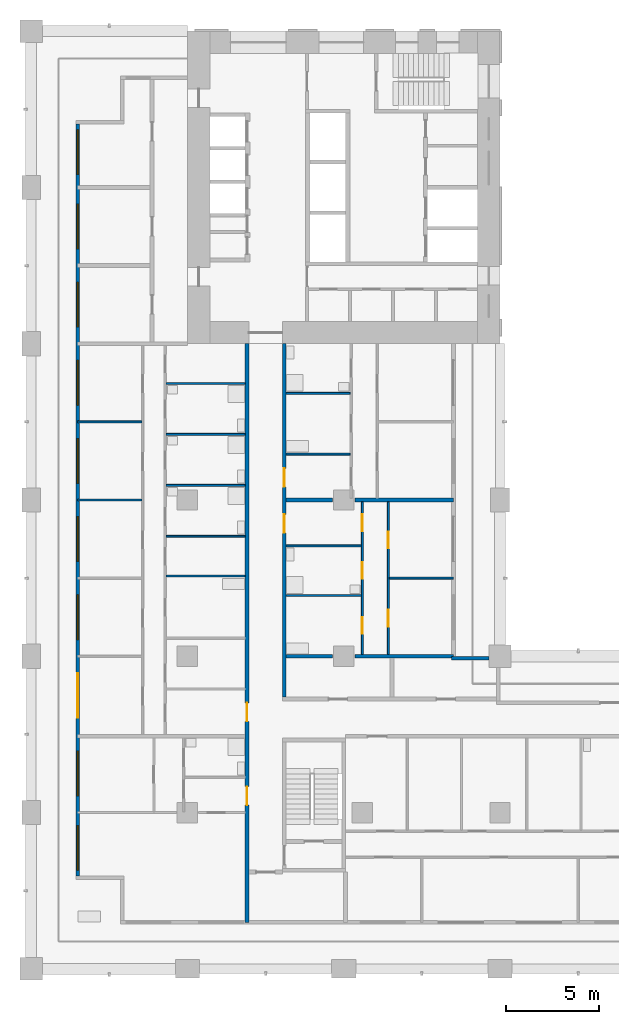
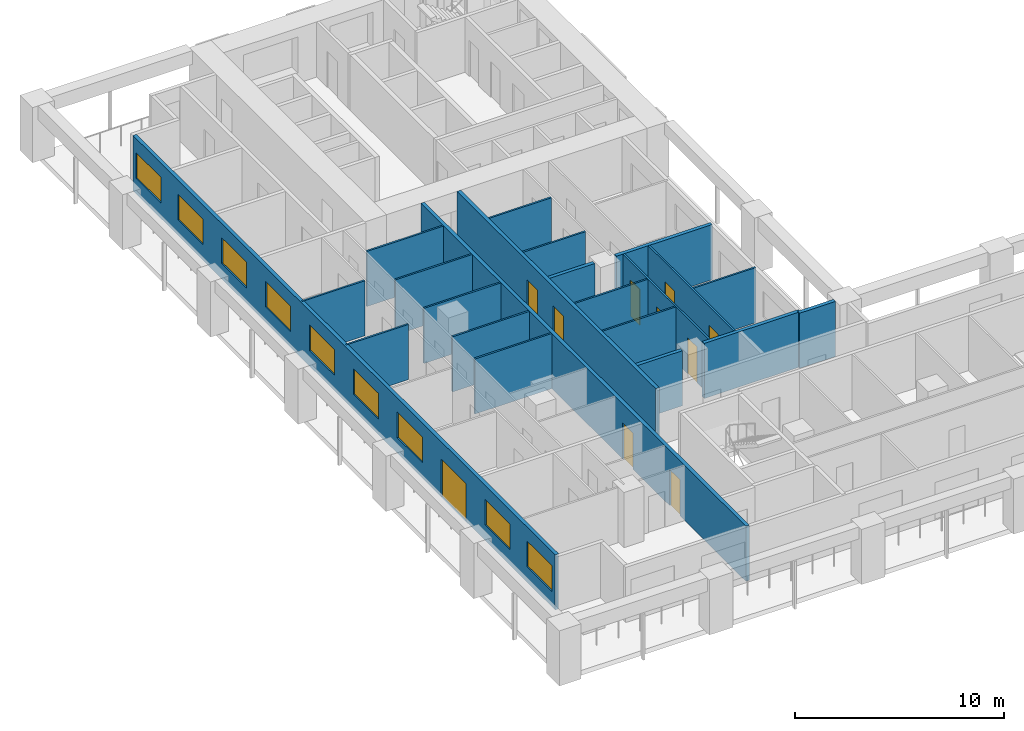
# One storey, part 4 of 17: 22 walls, 10 doors, 9 windows, 19 openings.
"""IFC4 building model written with IfcOpenShell, lengths in metres."""

import ifcopenshell
import ifcopenshell.guid

model = None  # the IFC model being written
_history = None  # IfcOwnerHistory: only IFC2X3 demands one
_inside = {}  # id of a spatial element -> (the spatial element, [elements in it])
_under = {}  # id of a project, library or spatial element -> (it, [spatial elements below it])
_declared = {}  # id of a project -> (the project, [libraries it declares])
_typed = {}  # id of a type object -> (the type object, [elements of that type])
_made_of = {}  # id of a material, layer set ... -> (it, [elements and type objects made of it])


def new_model(schema):
    """Start an empty IFC model of exactly this schema.

    Asked for "IFC4X3", IfcOpenShell would pick the latest addendum, in which some entities
    have other attributes; the version numbers below select the first issue.
    IFC2X3 requires an IfcOwnerHistory on every rooted entity: one is made here for all.
    """
    global model, _history
    if schema == "IFC4X3":
        model = ifcopenshell.file(schema_version=(4, 3, 0, 0))
    else:
        model = ifcopenshell.file(schema=schema)
    _inside.clear()
    _under.clear()
    _declared.clear()
    _typed.clear()
    _made_of.clear()
    _history = None
    if model.schema == "IFC2X3":
        org = make("IfcOrganization", Name="unknown")
        user = make(
            "IfcPersonAndOrganization",
            ThePerson=make("IfcPerson", FamilyName="unknown"),
            TheOrganization=org,
        )
        app = make(
            "IfcApplication",
            ApplicationDeveloper=org,
            Version="unknown",
            ApplicationFullName="unknown",
            ApplicationIdentifier="unknown",
        )
        _history = make(
            "IfcOwnerHistory",
            OwningUser=user,
            OwningApplication=app,
            ChangeAction="ADDED",
            CreationDate=0,
        )
    return model


def make(cls, **values):
    """One entity of the class cls with the attributes given. An attribute that is None is left unset."""
    return model.create_entity(
        cls, **{name: value for name, value in values.items() if value is not None}
    )


def rooted(cls, **values):
    """An entity with a GlobalId (a new one), such as an element, a storey or a relation."""
    return make(cls, GlobalId=ifcopenshell.guid.new(), OwnerHistory=_history, **values)


def si_unit(unit_type, name, prefix=None):
    """IfcSIUnit, for example si_unit("LENGTHUNIT", "METRE", prefix="MILLI")."""
    return make("IfcSIUnit", UnitType=unit_type, Prefix=prefix, Name=name)


def assignment(units):
    """IfcUnitAssignment: the units of a project."""
    return None if units is None else make("IfcUnitAssignment", Units=units)


def point(xyz):
    """IfcCartesianPoint."""
    return None if xyz is None else make("IfcCartesianPoint", Coordinates=xyz)


def direction(xyz):
    """IfcDirection."""
    return None if xyz is None else make("IfcDirection", DirectionRatios=xyz)


def frame(location, z_axis=None, x_axis=None):
    """IfcAxis2Placement3D, a coordinate frame: its origin and axes. An axis left out is left unset."""
    return make(
        "IfcAxis2Placement3D",
        Location=point(location),
        Axis=direction(z_axis),
        RefDirection=direction(x_axis),
    )


def frame_2d(location, x_axis=None):
    """IfcAxis2Placement2D, a coordinate frame in the plane: its origin and x axis."""
    return make(
        "IfcAxis2Placement2D", Location=point(location), RefDirection=direction(x_axis)
    )


def origin():
    """The frame at (0, 0, 0) with its axes left unset."""
    return frame((0.0, 0.0, 0.0))


def place(relative_to, where):
    """IfcLocalPlacement: puts the frame where relative to a parent placement (None: the world)."""
    return make(
        "IfcLocalPlacement", PlacementRelTo=relative_to, RelativePlacement=where
    )


def context(
    kind, dimensions, precision=None, world=None, true_north=None, identifier=None
):
    """IfcGeometricRepresentationContext, for example the 3D "Model" context."""
    return make(
        "IfcGeometricRepresentationContext",
        ContextIdentifier=identifier,
        ContextType=kind,
        CoordinateSpaceDimension=dimensions,
        Precision=precision,
        WorldCoordinateSystem=world,
        TrueNorth=true_north,
    )


def subcontext(parent, identifier, kind, view, scale=None):
    """IfcGeometricRepresentationSubContext, for example "Body" below "Model"."""
    return make(
        "IfcGeometricRepresentationSubContext",
        ContextIdentifier=identifier,
        ContextType=kind,
        ParentContext=parent,
        TargetScale=scale,
        TargetView=view,
    )


def project(units=None, contexts=None):
    """IfcProject with its units and contexts."""
    return rooted(
        "IfcProject",
        Name="project",
        RepresentationContexts=contexts,
        UnitsInContext=assignment(units),
    )


def spatial(cls, under=None, at=None, **own):
    """A site, building, storey or space (cls), placed at a placement, below another one or the project."""
    s = rooted(cls, ObjectPlacement=at, **own)
    if under is not None:
        _under.setdefault(under.id(), (under, []))[1].append(s)
    return s


def profile(cls, at=None, kind="AREA", **sizes):
    """A parametric profile (cls). Its sizes go by their IFC names, for example OverallWidth=200.0."""
    return make(cls, ProfileType=kind, Position=at, **sizes)


def rectangle(**sizes):
    """IfcRectangleProfileDef."""
    return profile("IfcRectangleProfileDef", **sizes)


def extrude(swept, where, along, depth):
    """IfcExtrudedAreaSolid: the profile swept, set in the frame where, extruded along a direction by depth."""
    return make(
        "IfcExtrudedAreaSolid",
        SweptArea=swept,
        Position=where,
        ExtrudedDirection=direction(along),
        Depth=depth,
    )


def shape(context_of_items, identifier, shape_type, items):
    """IfcShapeRepresentation: the items that make up one representation, for example the "Body"."""
    return make(
        "IfcShapeRepresentation",
        ContextOfItems=context_of_items,
        RepresentationIdentifier=identifier,
        RepresentationType=shape_type,
        Items=items,
    )


def material(Name=None, Category=None):
    """IfcMaterial."""
    return make("IfcMaterial", Name=Name, Category=Category)


def layer(
    of_material, thickness, ventilated=None, Name=None, Category=None, Priority=None
):
    """IfcMaterialLayer: one layer of a wall or slab, of a material (None: an air gap)."""
    return make(
        "IfcMaterialLayer",
        Material=of_material,
        LayerThickness=thickness,
        IsVentilated=ventilated,
        Name=Name,
        Category=Category,
        Priority=Priority,
    )


def layer_set(layers, Name=None):
    """IfcMaterialLayerSet."""
    return make("IfcMaterialLayerSet", MaterialLayers=layers, LayerSetName=Name)


def made_of(thing, what):
    """Note that an element or type object is made of a material, layer set ...; save() writes the relation."""
    if what is not None:
        _made_of.setdefault(what.id(), (what, []))[1].append(thing)
    return thing


def type_object(cls, material=None, **own):
    """A type object (cls), such as IfcWallType, which elements share."""
    return made_of(rooted(cls, **own), material)


def element(
    cls,
    number,
    at=None,
    inside=None,
    cuts=None,
    type_object=None,
    material=None,
    context=None,
    identifier="Body",
    shape_type=None,
    held_by="IfcProductDefinitionShape",
    body=None,
    shapes=None,
    **own,
):
    """One element of the class cls, such as IfcWall. Its Tag is "e" and its number.

    at: its placement. inside: the storey or other place that contains it. cuts: it is an
    opening in that element (IfcRelVoidsElement). A single representation is given by context,
    identifier, shape_type and body (its items); several are given by shapes. held_by: the class
    of the entity that holds the representations. save() writes the other relations.
    """
    e = rooted(cls, Tag="e%d" % number, ObjectPlacement=at, **own)
    if body is not None:
        shapes = [shape(context, identifier, shape_type, body)]
    if shapes is not None:
        e.Representation = make(held_by, Representations=shapes)
    if inside is not None:
        _inside.setdefault(inside.id(), (inside, []))[1].append(e)
    if cuts is not None:
        rooted(
            "IfcRelVoidsElement", RelatingBuildingElement=cuts, RelatedOpeningElement=e
        )
    if type_object is not None:
        _typed.setdefault(type_object.id(), (type_object, []))[1].append(e)
    return made_of(e, material)


def fill(opening, filler):
    """IfcRelFillsElement: the door or window that sits in an opening."""
    return rooted(
        "IfcRelFillsElement",
        RelatingOpeningElement=opening,
        RelatedBuildingElement=filler,
    )


def aggregate(whole, parts):
    """IfcRelAggregates: a whole, such as a stair, and the parts it consists of."""
    return rooted("IfcRelAggregates", RelatingObject=whole, RelatedObjects=parts)


def save(model, path):
    """Write the relations noted so far, then the file.

    IfcRelAggregates (storeys below a building ...), IfcRelContainedInSpatialStructure (elements
    in a storey), IfcRelDefinesByType, IfcRelAssociatesMaterial and IfcRelDeclares: one each for
    every whole, place, type object, material and project.
    """
    for whole, parts in _under.values():
        aggregate(whole, parts)
    for where, things in _inside.values():
        rooted(
            "IfcRelContainedInSpatialStructure",
            RelatedElements=things,
            RelatingStructure=where,
        )
    for kind, things in _typed.values():
        rooted("IfcRelDefinesByType", RelatedObjects=things, RelatingType=kind)
    for what, things in _made_of.values():
        rooted("IfcRelAssociatesMaterial", RelatedObjects=things, RelatingMaterial=what)
    for by, libraries in _declared.values():
        rooted("IfcRelDeclares", RelatingContext=by, RelatedDefinitions=libraries)
    model.write(path)


model = new_model("IFC4")

# Units and contexts
model_context = context("Model", 3, precision=1e-05, world=origin(), true_north=direction((0.0, 1.0)))
body_context = subcontext(model_context, "Body", "Model", "MODEL_VIEW")
ifc_project = project(units=[si_unit("LENGTHUNIT", "METRE"), si_unit("AREAUNIT", "SQUARE_METRE"), si_unit("VOLUMEUNIT", "CUBIC_METRE"), si_unit("PLANEANGLEUNIT", "RADIAN"), si_unit("MASSUNIT", "GRAM", prefix="KILO")], contexts=[model_context])

# Site, building, storey
site_placement = place(None, origin())
site = spatial("IfcSite", under=ifc_project, at=site_placement, CompositionType="ELEMENT")
building_placement = place(site_placement, origin())
building = spatial("IfcBuilding", under=site, at=building_placement, Name="Vermilion Gate Residences", CompositionType="ELEMENT")
storey_placement = place(building_placement, frame((0.0, 0.0, 95.199951171875)))
storey = spatial("IfcBuildingStorey", under=building, at=storey_placement, Name="L23", CompositionType="ELEMENT", Elevation=95.199951171875)

# Wall, openings, door, windows
ifc_material_1 = material(Name="Insulated steel stud wall with terracotta rainscreen", Category="masonry")
ifc_layer_1 = layer(ifc_material_1, 0.199951171875)
ifc_layer_set_1 = layer_set([ifc_layer_1], Name="EXTERNAL WALL 200 TERRACOTTA RAINSCREEN")
wall_type_1 = type_object("IfcWallType", Name="EXTERNAL WALL 200 TERRACOTTA RAINSCREEN", PredefinedType="SOLIDWALL", material=ifc_layer_set_1)
wall_1_placement = place(storey_placement, frame((2.5, 53.800048828125, 0.0), z_axis=(0.0, 0.0, 1.0), x_axis=(0.0, -1.0, 0.0)))
wall_1 = element("IfcWall", 1, at=wall_1_placement, inside=storey, type_object=wall_type_1, Name="External wall", PredefinedType="SOLIDWALL", context=body_context, shape_type="SweptSolid", body=[
    extrude(rectangle(XDim=40.400146484375, YDim=0.199951171875, at=frame_2d((20.2001953125, 0.0))), origin(), (0.0, 0.0, 1.0), 3.219970703125),
])
opening_1_placement = place(wall_1_placement, frame((37.699951171875, 0.0, 0.89990234375)))
opening_1 = element("IfcOpeningElement", 2, at=opening_1_placement, cuts=wall_1, Name="Opening WE23002", PredefinedType="OPENING", context=body_context, shape_type="SweptSolid", body=[
    extrude(rectangle(XDim=2.39990234375, YDim=1.5, at=frame_2d((1.199951171875, 0.75))), frame((0.0, 0.10986328125, 0.0), z_axis=(0.0, -1.0, 0.0), x_axis=(1.0, 0.0, 0.0)), (0.0, 0.0, 1.0), 0.219970703125),
])
opening_2_placement = place(wall_1_placement, frame((33.699951171875, 0.0, 0.89990234375)))
opening_2 = element("IfcOpeningElement", 3, at=opening_2_placement, cuts=wall_1, Name="Opening WE23003", PredefinedType="OPENING", context=body_context, shape_type="SweptSolid", body=[
    extrude(rectangle(XDim=2.39990234375, YDim=1.5, at=frame_2d((1.199951171875, 0.75))), frame((0.0, 0.10986328125, 0.0), z_axis=(0.0, -1.0, 0.0), x_axis=(1.0, 0.0, 0.0)), (0.0, 0.0, 1.0), 0.219970703125),
])
opening_3_placement = place(wall_1_placement, frame((29.5, 0.0, 0.0)))
opening_3 = element("IfcOpeningElement", 4, at=opening_3_placement, cuts=wall_1, Name="Opening DE23004", PredefinedType="OPENING", context=body_context, shape_type="SweptSolid", body=[
    extrude(rectangle(XDim=2.39990234375, YDim=2.199951171875, at=frame_2d((1.199951171875, 1.10009765625))), frame((0.0, 0.10986328125, 0.0), z_axis=(0.0, -1.0, 0.0), x_axis=(1.0, 0.0, 0.0)), (0.0, 0.0, 1.0), 0.219970703125),
])
opening_4_placement = place(wall_1_placement, frame((25.300048828125, 0.0, 0.89990234375)))
opening_4 = element("IfcOpeningElement", 5, at=opening_4_placement, cuts=wall_1, Name="Opening WE23005", PredefinedType="OPENING", context=body_context, shape_type="SweptSolid", body=[
    extrude(rectangle(XDim=2.39990234375, YDim=1.5, at=frame_2d((1.199951171875, 0.75))), frame((0.0, 0.10986328125, 0.0), z_axis=(0.0, -1.0, 0.0), x_axis=(1.0, 0.0, 0.0)), (0.0, 0.0, 1.0), 0.219970703125),
])
opening_5_placement = place(wall_1_placement, frame((21.10009765625, 0.0, 0.89990234375)))
opening_5 = element("IfcOpeningElement", 6, at=opening_5_placement, cuts=wall_1, Name="Opening WE23006", PredefinedType="OPENING", context=body_context, shape_type="SweptSolid", body=[
    extrude(rectangle(XDim=2.39990234375, YDim=1.5, at=frame_2d((1.199951171875, 0.75))), frame((0.0, 0.10986328125, 0.0), z_axis=(0.0, -1.0, 0.0), x_axis=(1.0, 0.0, 0.0)), (0.0, 0.0, 1.0), 0.219970703125),
])
opening_6_placement = place(wall_1_placement, frame((16.89990234375, 0.0, 0.89990234375)))
opening_6 = element("IfcOpeningElement", 7, at=opening_6_placement, cuts=wall_1, Name="Opening WE23007", PredefinedType="OPENING", context=body_context, shape_type="SweptSolid", body=[
    extrude(rectangle(XDim=2.39990234375, YDim=1.5, at=frame_2d((1.199951171875, 0.75))), frame((0.0, 0.10986328125, 0.0), z_axis=(0.0, -1.0, 0.0), x_axis=(1.0, 0.0, 0.0)), (0.0, 0.0, 1.0), 0.219970703125),
])
opening_7_placement = place(wall_1_placement, frame((12.699951171875, 0.0, 0.89990234375)))
opening_7 = element("IfcOpeningElement", 8, at=opening_7_placement, cuts=wall_1, Name="Opening WE23008", PredefinedType="OPENING", context=body_context, shape_type="SweptSolid", body=[
    extrude(rectangle(XDim=2.39990234375, YDim=1.5, at=frame_2d((1.199951171875, 0.75))), frame((0.0, 0.10986328125, 0.0), z_axis=(0.0, -1.0, 0.0), x_axis=(1.0, 0.0, 0.0)), (0.0, 0.0, 1.0), 0.219970703125),
])
opening_8_placement = place(wall_1_placement, frame((8.5, 0.0, 0.89990234375)))
opening_8 = element("IfcOpeningElement", 9, at=opening_8_placement, cuts=wall_1, Name="Opening WE23009", PredefinedType="OPENING", context=body_context, shape_type="SweptSolid", body=[
    extrude(rectangle(XDim=2.39990234375, YDim=1.5, at=frame_2d((1.199951171875, 0.75))), frame((0.0, 0.10986328125, 0.0), z_axis=(0.0, -1.0, 0.0), x_axis=(1.0, 0.0, 0.0)), (0.0, 0.0, 1.0), 0.219970703125),
])
opening_9_placement = place(wall_1_placement, frame((4.300048828125, 0.0, 0.89990234375)))
opening_9 = element("IfcOpeningElement", 10, at=opening_9_placement, cuts=wall_1, Name="Opening WE23010", PredefinedType="OPENING", context=body_context, shape_type="SweptSolid", body=[
    extrude(rectangle(XDim=2.39990234375, YDim=1.5, at=frame_2d((1.199951171875, 0.75))), frame((0.0, 0.10986328125, 0.0), z_axis=(0.0, -1.0, 0.0), x_axis=(1.0, 0.0, 0.0)), (0.0, 0.0, 1.0), 0.219970703125),
])
opening_10_placement = place(wall_1_placement, frame((0.300048828125, 0.0, 0.89990234375)))
opening_10 = element("IfcOpeningElement", 11, at=opening_10_placement, cuts=wall_1, Name="Opening WE23011", PredefinedType="OPENING", context=body_context, shape_type="SweptSolid", body=[
    extrude(rectangle(XDim=2.39990234375, YDim=1.5, at=frame_2d((1.199951171875, 0.75))), frame((0.0, 0.10986328125, 0.0), z_axis=(0.0, -1.0, 0.0), x_axis=(1.0, 0.0, 0.0)), (0.0, 0.0, 1.0), 0.219970703125),
])
ifc_material_2 = material(Name="Aluminium and clear glass", Category="aluminium")
door_type_1 = type_object("IfcDoorType", Name="SLIDING GLAZED DOOR 2400 X 2200", OperationType="DOUBLE_DOOR_SLIDING", PredefinedType="DOOR", material=ifc_material_2)
door_1_placement = place(opening_3_placement, origin())
door_1 = element("IfcDoor", 12, at=door_1_placement, inside=storey, type_object=door_type_1, Name="Loggia sliding door", OperationType="DOUBLE_DOOR_SLIDING", OverallHeight=2.199951171875, OverallWidth=2.39990234375, PredefinedType="DOOR", context=body_context, shape_type="SweptSolid", body=[
    extrude(rectangle(XDim=2.39990234375, YDim=2.199951171875, at=frame_2d((1.199951171875, 1.10009765625))), frame((0.0, 0.02490234375, 0.0), z_axis=(0.0, -1.0, 0.0), x_axis=(1.0, 0.0, 0.0)), (0.0, 0.0, 1.0), 0.050048828125),
])
fill(opening_3, door_1)
ifc_material_3 = material(Name="Aluminium and clear glass", Category="aluminium")
window_type = type_object("IfcWindowType", Name="WINDOW 2400 X 1500", PartitioningType="SINGLE_PANEL", PredefinedType="WINDOW", material=ifc_material_3)
window_1_placement = place(opening_1_placement, origin())
window_1 = element("IfcWindow", 13, at=window_1_placement, inside=storey, type_object=window_type, Name="Window", OverallHeight=1.5, OverallWidth=2.39990234375, PartitioningType="SINGLE_PANEL", PredefinedType="WINDOW", context=body_context, shape_type="SweptSolid", body=[
    extrude(rectangle(XDim=2.39990234375, YDim=1.5, at=frame_2d((1.199951171875, 0.75))), frame((0.0, 0.030029296875, 0.0), z_axis=(0.0, -1.0, 0.0), x_axis=(1.0, 0.0, 0.0)), (0.0, 0.0, 1.0), 0.06005859375),
])
fill(opening_1, window_1)
window_2_placement = place(opening_2_placement, origin())
window_2 = element("IfcWindow", 14, at=window_2_placement, inside=storey, type_object=window_type, Name="Window", OverallHeight=1.5, OverallWidth=2.39990234375, PartitioningType="SINGLE_PANEL", PredefinedType="WINDOW", context=body_context, shape_type="SweptSolid", body=[
    extrude(rectangle(XDim=2.39990234375, YDim=1.5, at=frame_2d((1.199951171875, 0.75))), frame((0.0, 0.030029296875, 0.0), z_axis=(0.0, -1.0, 0.0), x_axis=(1.0, 0.0, 0.0)), (0.0, 0.0, 1.0), 0.06005859375),
])
fill(opening_2, window_2)
window_3_placement = place(opening_4_placement, origin())
window_3 = element("IfcWindow", 15, at=window_3_placement, inside=storey, type_object=window_type, Name="Window", OverallHeight=1.5, OverallWidth=2.39990234375, PartitioningType="SINGLE_PANEL", PredefinedType="WINDOW", context=body_context, shape_type="SweptSolid", body=[
    extrude(rectangle(XDim=2.39990234375, YDim=1.5, at=frame_2d((1.199951171875, 0.75))), frame((0.0, 0.030029296875, 0.0), z_axis=(0.0, -1.0, 0.0), x_axis=(1.0, 0.0, 0.0)), (0.0, 0.0, 1.0), 0.06005859375),
])
fill(opening_4, window_3)
window_4_placement = place(opening_5_placement, origin())
window_4 = element("IfcWindow", 16, at=window_4_placement, inside=storey, type_object=window_type, Name="Window", OverallHeight=1.5, OverallWidth=2.39990234375, PartitioningType="SINGLE_PANEL", PredefinedType="WINDOW", context=body_context, shape_type="SweptSolid", body=[
    extrude(rectangle(XDim=2.39990234375, YDim=1.5, at=frame_2d((1.199951171875, 0.75))), frame((0.0, 0.030029296875, 0.0), z_axis=(0.0, -1.0, 0.0), x_axis=(1.0, 0.0, 0.0)), (0.0, 0.0, 1.0), 0.06005859375),
])
fill(opening_5, window_4)
window_5_placement = place(opening_6_placement, origin())
window_5 = element("IfcWindow", 17, at=window_5_placement, inside=storey, type_object=window_type, Name="Window", OverallHeight=1.5, OverallWidth=2.39990234375, PartitioningType="SINGLE_PANEL", PredefinedType="WINDOW", context=body_context, shape_type="SweptSolid", body=[
    extrude(rectangle(XDim=2.39990234375, YDim=1.5, at=frame_2d((1.199951171875, 0.75))), frame((0.0, 0.030029296875, 0.0), z_axis=(0.0, -1.0, 0.0), x_axis=(1.0, 0.0, 0.0)), (0.0, 0.0, 1.0), 0.06005859375),
])
fill(opening_6, window_5)
window_6_placement = place(opening_7_placement, origin())
window_6 = element("IfcWindow", 18, at=window_6_placement, inside=storey, type_object=window_type, Name="Window", OverallHeight=1.5, OverallWidth=2.39990234375, PartitioningType="SINGLE_PANEL", PredefinedType="WINDOW", context=body_context, shape_type="SweptSolid", body=[
    extrude(rectangle(XDim=2.39990234375, YDim=1.5, at=frame_2d((1.199951171875, 0.75))), frame((0.0, 0.030029296875, 0.0), z_axis=(0.0, -1.0, 0.0), x_axis=(1.0, 0.0, 0.0)), (0.0, 0.0, 1.0), 0.06005859375),
])
fill(opening_7, window_6)
window_7_placement = place(opening_8_placement, origin())
window_7 = element("IfcWindow", 19, at=window_7_placement, inside=storey, type_object=window_type, Name="Window", OverallHeight=1.5, OverallWidth=2.39990234375, PartitioningType="SINGLE_PANEL", PredefinedType="WINDOW", context=body_context, shape_type="SweptSolid", body=[
    extrude(rectangle(XDim=2.39990234375, YDim=1.5, at=frame_2d((1.199951171875, 0.75))), frame((0.0, 0.030029296875, 0.0), z_axis=(0.0, -1.0, 0.0), x_axis=(1.0, 0.0, 0.0)), (0.0, 0.0, 1.0), 0.06005859375),
])
fill(opening_8, window_7)
window_8_placement = place(opening_9_placement, origin())
window_8 = element("IfcWindow", 20, at=window_8_placement, inside=storey, type_object=window_type, Name="Window", OverallHeight=1.5, OverallWidth=2.39990234375, PartitioningType="SINGLE_PANEL", PredefinedType="WINDOW", context=body_context, shape_type="SweptSolid", body=[
    extrude(rectangle(XDim=2.39990234375, YDim=1.5, at=frame_2d((1.199951171875, 0.75))), frame((0.0, 0.030029296875, 0.0), z_axis=(0.0, -1.0, 0.0), x_axis=(1.0, 0.0, 0.0)), (0.0, 0.0, 1.0), 0.06005859375),
])
fill(opening_9, window_8)
window_9_placement = place(opening_10_placement, origin())
window_9 = element("IfcWindow", 21, at=window_9_placement, inside=storey, type_object=window_type, Name="Window", OverallHeight=1.5, OverallWidth=2.39990234375, PartitioningType="SINGLE_PANEL", PredefinedType="WINDOW", context=body_context, shape_type="SweptSolid", body=[
    extrude(rectangle(XDim=2.39990234375, YDim=1.5, at=frame_2d((1.199951171875, 0.75))), frame((0.0, 0.030029296875, 0.0), z_axis=(0.0, -1.0, 0.0), x_axis=(1.0, 0.0, 0.0)), (0.0, 0.0, 1.0), 0.06005859375),
])
fill(opening_10, window_9)

# Walls
wall_2_placement = place(storey_placement, frame((24.60009765625, 25.10009765625, 0.0), z_axis=(0.0, 0.0, 1.0), x_axis=(-1.0, 0.0, 0.0)))
element("IfcWall", 22, at=wall_2_placement, inside=storey, type_object=wall_type_1, Name="External wall", PredefinedType="SOLIDWALL", context=body_context, shape_type="SweptSolid", body=[
    extrude(rectangle(XDim=2.0, YDim=0.199951171875, at=frame_2d((1.0, 0.0))), origin(), (0.0, 0.0, 1.0), 3.219970703125),
])
ifc_material_4 = material(Name="Plasterboard on steel studs", Category="steel")
ifc_layer_2 = layer(ifc_material_4, 0.10009765625)
ifc_layer_set_2 = layer_set([ifc_layer_2], Name="PARTITION 100")
wall_type_2 = type_object("IfcWallType", Name="PARTITION 100", PredefinedType="PARTITIONING", material=ifc_layer_set_2)
wall_3_placement = place(storey_placement, frame((13.699951171875, 28.467041015625, 0.0), z_axis=(0.0, 0.0, 1.0), x_axis=(1.0, 0.0, 0.0)))
element("IfcWall", 23, at=wall_3_placement, inside=storey, type_object=wall_type_2, Name="Partition", PredefinedType="PARTITIONING", context=body_context, shape_type="SweptSolid", body=[
    extrude(rectangle(XDim=4.050048828125, YDim=0.10009765625, at=frame_2d((2.02490234375, 0.0))), origin(), (0.0, 0.0, 1.0), 3.219970703125),
])
wall_4_placement = place(storey_placement, frame((19.25, 29.39990234375, 0.0), z_axis=(0.0, 0.0, 1.0), x_axis=(1.0, 0.0, 0.0)))
element("IfcWall", 24, at=wall_4_placement, inside=storey, type_object=wall_type_2, Name="Partition", PredefinedType="PARTITIONING", context=body_context, shape_type="SweptSolid", body=[
    extrude(rectangle(XDim=3.449951171875, YDim=0.10009765625, at=frame_2d((1.72509765625, 0.0))), origin(), (0.0, 0.0, 1.0), 3.219970703125),
])
wall_5_placement = place(storey_placement, frame((7.25, 29.512939453125, 0.0), z_axis=(0.0, 0.0, 1.0), x_axis=(1.0, 0.0, 0.0)))
element("IfcWall", 25, at=wall_5_placement, inside=storey, type_object=wall_type_2, Name="Partition", PredefinedType="PARTITIONING", context=body_context, shape_type="SweptSolid", body=[
    extrude(rectangle(XDim=4.25, YDim=0.10009765625, at=frame_2d((2.125, 0.0))), origin(), (0.0, 0.0, 1.0), 3.219970703125),
])
wall_6_placement = place(storey_placement, frame((13.699951171875, 31.133056640625, 0.0), z_axis=(0.0, 0.0, 1.0), x_axis=(1.0, 0.0, 0.0)))
element("IfcWall", 26, at=wall_6_placement, inside=storey, type_object=wall_type_2, Name="Partition", PredefinedType="PARTITIONING", context=body_context, shape_type="SweptSolid", body=[
    extrude(rectangle(XDim=4.050048828125, YDim=0.10009765625, at=frame_2d((2.02490234375, 0.0))), origin(), (0.0, 0.0, 1.0), 3.219970703125),
])
wall_7_placement = place(storey_placement, frame((7.25, 31.64990234375, 0.0), z_axis=(0.0, 0.0, 1.0), x_axis=(1.0, 0.0, 0.0)))
element("IfcWall", 27, at=wall_7_placement, inside=storey, type_object=wall_type_2, Name="Partition", PredefinedType="PARTITIONING", context=body_context, shape_type="SweptSolid", body=[
    extrude(rectangle(XDim=4.25, YDim=0.10009765625, at=frame_2d((2.125, 0.0))), origin(), (0.0, 0.0, 1.0), 3.219970703125),
])
wall_8_placement = place(storey_placement, frame((2.5, 33.60009765625, 0.0), z_axis=(0.0, 0.0, 1.0), x_axis=(1.0, 0.0, 0.0)))
element("IfcWall", 28, at=wall_8_placement, inside=storey, type_object=wall_type_2, Name="Partition", PredefinedType="PARTITIONING", context=body_context, shape_type="SweptSolid", body=[
    extrude(rectangle(XDim=3.449951171875, YDim=0.10009765625, at=frame_2d((1.72509765625, 0.0))), origin(), (0.0, 0.0, 1.0), 3.219970703125),
])
wall_9_placement = place(storey_placement, frame((7.25, 34.387939453125, 0.0), z_axis=(0.0, 0.0, 1.0), x_axis=(1.0, 0.0, 0.0)))
element("IfcWall", 29, at=wall_9_placement, inside=storey, type_object=wall_type_2, Name="Partition", PredefinedType="PARTITIONING", context=body_context, shape_type="SweptSolid", body=[
    extrude(rectangle(XDim=4.25, YDim=0.10009765625, at=frame_2d((2.125, 0.0))), origin(), (0.0, 0.0, 1.0), 3.219970703125),
])
wall_10_placement = place(storey_placement, frame((13.699951171875, 36.06689453125, 0.0), z_axis=(0.0, 0.0, 1.0), x_axis=(1.0, 0.0, 0.0)))
element("IfcWall", 30, at=wall_10_placement, inside=storey, type_object=wall_type_2, Name="Partition", PredefinedType="PARTITIONING", context=body_context, shape_type="SweptSolid", body=[
    extrude(rectangle(XDim=3.449951171875, YDim=0.10009765625, at=frame_2d((1.72509765625, 0.0))), origin(), (0.0, 0.0, 1.0), 3.219970703125),
])
wall_11_placement = place(storey_placement, frame((7.25, 37.125, 0.0), z_axis=(0.0, 0.0, 1.0), x_axis=(1.0, 0.0, 0.0)))
element("IfcWall", 31, at=wall_11_placement, inside=storey, type_object=wall_type_2, Name="Partition", PredefinedType="PARTITIONING", context=body_context, shape_type="SweptSolid", body=[
    extrude(rectangle(XDim=4.25, YDim=0.10009765625, at=frame_2d((2.125, 0.0))), origin(), (0.0, 0.0, 1.0), 3.219970703125),
])
for number, where, z_axis, x_axis, name in (
    (32, (2.5, 37.800048828125, 0.0), (0.0, 0.0, 1.0), (1.0, 0.0, 0.0), "Partition"),
    (33, (13.699951171875, 39.3330078125, 0.0), (0.0, 0.0, 1.0), (1.0, 0.0, 0.0), "Partition"),
):
    element("IfcWall", number, at=place(storey_placement, frame(where, z_axis=z_axis, x_axis=x_axis)), inside=storey, type_object=wall_type_2, Name=name, PredefinedType="PARTITIONING", context=body_context, shape_type="SweptSolid", body=[
        extrude(rectangle(XDim=3.449951171875, YDim=0.10009765625, at=frame_2d((1.72509765625, 0.0))), origin(), (0.0, 0.0, 1.0), 3.219970703125),
    ])
wall_12_placement = place(storey_placement, frame((7.25, 39.863037109375, 0.0), z_axis=(0.0, 0.0, 1.0), x_axis=(1.0, 0.0, 0.0)))
element("IfcWall", 34, at=wall_12_placement, inside=storey, type_object=wall_type_2, Name="Partition", PredefinedType="PARTITIONING", context=body_context, shape_type="SweptSolid", body=[
    extrude(rectangle(XDim=4.25, YDim=0.10009765625, at=frame_2d((2.125, 0.0))), origin(), (0.0, 0.0, 1.0), 3.219970703125),
])

# Wall, openings, doors
wall_13_placement = place(storey_placement, frame((17.800048828125, 25.300048828125, 0.0), z_axis=(0.0, 0.0, 1.0), x_axis=(0.0, 1.0, 0.0)))
wall_13 = element("IfcWall", 35, at=wall_13_placement, inside=storey, type_object=wall_type_2, Name="Partition", PredefinedType="PARTITIONING", context=body_context, shape_type="SweptSolid", body=[
    extrude(rectangle(XDim=8.199951171875, YDim=0.10009765625, at=frame_2d((4.10009765625, 0.0))), origin(), (0.0, 0.0, 1.0), 3.219970703125),
])
opening_11_placement = place(wall_13_placement, frame((6.633056640625, 0.0, 0.0)))
opening_11 = element("IfcOpeningElement", 36, at=opening_11_placement, cuts=wall_13, Name="Opening DA22043", PredefinedType="OPENING", context=body_context, shape_type="SweptSolid", body=[
    extrude(rectangle(XDim=0.89990234375, YDim=2.10009765625, at=frame_2d((0.449951171875, 1.050048828125))), frame((0.0, 0.06005859375, 0.0), z_axis=(0.0, -1.0, 0.0), x_axis=(1.0, 0.0, 0.0)), (0.0, 0.0, 1.0), 0.1201171875),
])
opening_12_placement = place(wall_13_placement, frame((1.10009765625, 0.0, 0.0)))
opening_12 = element("IfcOpeningElement", 37, at=opening_12_placement, cuts=wall_13, Name="Opening DA22044", PredefinedType="OPENING", context=body_context, shape_type="SweptSolid", body=[
    extrude(rectangle(XDim=0.89990234375, YDim=2.10009765625, at=frame_2d((0.449951171875, 1.050048828125))), frame((0.0, 0.06005859375, 0.0), z_axis=(0.0, -1.0, 0.0), x_axis=(1.0, 0.0, 0.0)), (0.0, 0.0, 1.0), 0.1201171875),
])
opening_13_placement = place(wall_13_placement, frame((4.06689453125, 0.0, 0.0)))
opening_13 = element("IfcOpeningElement", 38, at=opening_13_placement, cuts=wall_13, Name="Opening DA22045", PredefinedType="OPENING", context=body_context, shape_type="SweptSolid", body=[
    extrude(rectangle(XDim=0.89990234375, YDim=2.10009765625, at=frame_2d((0.449951171875, 1.050048828125))), frame((0.0, 0.06005859375, 0.0), z_axis=(0.0, -1.0, 0.0), x_axis=(1.0, 0.0, 0.0)), (0.0, 0.0, 1.0), 0.1201171875),
])
ifc_material_5 = material(Name="Timber", Category="wood")
door_type_2 = type_object("IfcDoorType", Name="INTERIOR DOOR 900 X 2100", OperationType="SINGLE_SWING_LEFT", PredefinedType="DOOR", material=ifc_material_5)
door_2_placement = place(opening_11_placement, frame((0.89990234375, 0.0, 0.0), z_axis=(0.0, 0.0, 1.0), x_axis=(-1.0, 0.0, 0.0)))
door_2 = element("IfcDoor", 39, at=door_2_placement, inside=storey, type_object=door_type_2, Name="Interior door", OperationType="SINGLE_SWING_LEFT", OverallHeight=2.10009765625, OverallWidth=0.89990234375, PredefinedType="DOOR", context=body_context, shape_type="SweptSolid", body=[
    extrude(rectangle(XDim=0.89990234375, YDim=2.10009765625, at=frame_2d((0.449951171875, 1.050048828125))), frame((0.0, 0.02490234375, 0.0), z_axis=(0.0, -1.0, 0.0), x_axis=(1.0, 0.0, 0.0)), (0.0, 0.0, 1.0), 0.050048828125),
])
fill(opening_11, door_2)
door_3_placement = place(opening_12_placement, origin())
door_3 = element("IfcDoor", 40, at=door_3_placement, inside=storey, type_object=door_type_2, Name="Interior door", OperationType="SINGLE_SWING_LEFT", OverallHeight=2.10009765625, OverallWidth=0.89990234375, PredefinedType="DOOR", context=body_context, shape_type="SweptSolid", body=[
    extrude(rectangle(XDim=0.89990234375, YDim=2.10009765625, at=frame_2d((0.449951171875, 1.050048828125))), frame((0.0, 0.02490234375, 0.0), z_axis=(0.0, -1.0, 0.0), x_axis=(1.0, 0.0, 0.0)), (0.0, 0.0, 1.0), 0.050048828125),
])
fill(opening_12, door_3)
door_4_placement = place(opening_13_placement, origin())
door_4 = element("IfcDoor", 41, at=door_4_placement, inside=storey, type_object=door_type_2, Name="Interior door", OperationType="SINGLE_SWING_LEFT", OverallHeight=2.10009765625, OverallWidth=0.89990234375, PredefinedType="DOOR", context=body_context, shape_type="SweptSolid", body=[
    extrude(rectangle(XDim=0.89990234375, YDim=2.10009765625, at=frame_2d((0.449951171875, 1.050048828125))), frame((0.0, 0.02490234375, 0.0), z_axis=(0.0, -1.0, 0.0), x_axis=(1.0, 0.0, 0.0)), (0.0, 0.0, 1.0), 0.050048828125),
])
fill(opening_13, door_4)

wall_14_placement = place(storey_placement, frame((19.199951171875, 25.300048828125, 0.0), z_axis=(0.0, 0.0, 1.0), x_axis=(0.0, 1.0, 0.0)))
wall_14 = element("IfcWall", 42, at=wall_14_placement, inside=storey, type_object=wall_type_2, Name="Partition", PredefinedType="PARTITIONING", context=body_context, shape_type="SweptSolid", body=[
    extrude(rectangle(XDim=8.199951171875, YDim=0.10009765625, at=frame_2d((4.10009765625, 0.0))), origin(), (0.0, 0.0, 1.0), 3.219970703125),
])
opening_14_placement = place(wall_14_placement, frame((1.5, 0.0, 0.0)))
opening_14 = element("IfcOpeningElement", 43, at=opening_14_placement, cuts=wall_14, Name="Opening DA22048", PredefinedType="OPENING", context=body_context, shape_type="SweptSolid", body=[
    extrude(rectangle(XDim=0.89990234375, YDim=2.10009765625, at=frame_2d((0.449951171875, 1.050048828125))), frame((0.0, 0.06005859375, 0.0), z_axis=(0.0, -1.0, 0.0), x_axis=(1.0, 0.0, 0.0)), (0.0, 0.0, 1.0), 0.1201171875),
])
opening_15_placement = place(wall_14_placement, frame((5.699951171875, 0.0, 0.0)))
opening_15 = element("IfcOpeningElement", 44, at=opening_15_placement, cuts=wall_14, Name="Opening DA22049", PredefinedType="OPENING", context=body_context, shape_type="SweptSolid", body=[
    extrude(rectangle(XDim=0.89990234375, YDim=2.10009765625, at=frame_2d((0.449951171875, 1.050048828125))), frame((0.0, 0.06005859375, 0.0), z_axis=(0.0, -1.0, 0.0), x_axis=(1.0, 0.0, 0.0)), (0.0, 0.0, 1.0), 0.1201171875),
])
door_5_placement = place(opening_14_placement, frame((0.89990234375, 0.0, 0.0), z_axis=(0.0, 0.0, 1.0), x_axis=(-1.0, 0.0, 0.0)))
door_5 = element("IfcDoor", 45, at=door_5_placement, inside=storey, type_object=door_type_2, Name="Interior door", OperationType="SINGLE_SWING_RIGHT", OverallHeight=2.10009765625, OverallWidth=0.89990234375, PredefinedType="DOOR", context=body_context, shape_type="SweptSolid", body=[
    extrude(rectangle(XDim=0.89990234375, YDim=2.10009765625, at=frame_2d((0.449951171875, 1.050048828125))), frame((0.0, 0.02490234375, 0.0), z_axis=(0.0, -1.0, 0.0), x_axis=(1.0, 0.0, 0.0)), (0.0, 0.0, 1.0), 0.050048828125),
])
fill(opening_14, door_5)
door_6_placement = place(opening_15_placement, frame((0.89990234375, 0.0, 0.0), z_axis=(0.0, 0.0, 1.0), x_axis=(-1.0, 0.0, 0.0)))
door_6 = element("IfcDoor", 46, at=door_6_placement, inside=storey, type_object=door_type_2, Name="Interior door", OperationType="SINGLE_SWING_RIGHT", OverallHeight=2.10009765625, OverallWidth=0.89990234375, PredefinedType="DOOR", context=body_context, shape_type="SweptSolid", body=[
    extrude(rectangle(XDim=0.89990234375, YDim=2.10009765625, at=frame_2d((0.449951171875, 1.050048828125))), frame((0.0, 0.02490234375, 0.0), z_axis=(0.0, -1.0, 0.0), x_axis=(1.0, 0.0, 0.0)), (0.0, 0.0, 1.0), 0.050048828125),
])
fill(opening_15, door_6)

# Walls
ifc_material_6 = material(Name="Fire-rated plasterboard on steel studs", Category="steel")
ifc_layer_3 = layer(ifc_material_6, 0.199951171875)
ifc_layer_set_3 = layer_set([ifc_layer_3], Name="PARTY WALL 200 EI 120")
wall_type_3 = type_object("IfcWallType", Name="PARTY WALL 200 EI 120", PredefinedType="PARTITIONING", material=ifc_layer_set_3)
wall_15_placement = place(storey_placement, frame((13.699951171875, 25.199951171875, 0.0), z_axis=(0.0, 0.0, 1.0), x_axis=(1.0, 0.0, 0.0)))
element("IfcWall", 47, at=wall_15_placement, inside=storey, type_object=wall_type_3, Name="Party and corridor wall", PredefinedType="PARTITIONING", context=body_context, shape_type="SweptSolid", body=[
    extrude(rectangle(XDim=2.5, YDim=0.199951171875, at=frame_2d((1.25, 0.0))), origin(), (0.0, 0.0, 1.0), 3.219970703125),
])
wall_16_placement = place(storey_placement, frame((17.39990234375, 25.199951171875, 0.0), z_axis=(0.0, 0.0, 1.0), x_axis=(1.0, 0.0, 0.0)))
element("IfcWall", 48, at=wall_16_placement, inside=storey, type_object=wall_type_3, Name="Party and corridor wall", PredefinedType="PARTITIONING", context=body_context, shape_type="SweptSolid", body=[
    extrude(rectangle(XDim=5.300048828125, YDim=0.199951171875, at=frame_2d((2.64990234375, 0.0))), origin(), (0.0, 0.0, 1.0), 3.219970703125),
])
wall_17_placement = place(storey_placement, frame((13.699951171875, 33.60009765625, 0.0), z_axis=(0.0, 0.0, 1.0), x_axis=(1.0, 0.0, 0.0)))
element("IfcWall", 49, at=wall_17_placement, inside=storey, type_object=wall_type_3, Name="Party and corridor wall", PredefinedType="PARTITIONING", context=body_context, shape_type="SweptSolid", body=[
    extrude(rectangle(XDim=2.5, YDim=0.199951171875, at=frame_2d((1.25, 0.0))), origin(), (0.0, 0.0, 1.0), 3.219970703125),
])
wall_18_placement = place(storey_placement, frame((17.39990234375, 33.60009765625, 0.0), z_axis=(0.0, 0.0, 1.0), x_axis=(1.0, 0.0, 0.0)))
element("IfcWall", 50, at=wall_18_placement, inside=storey, type_object=wall_type_3, Name="Party and corridor wall", PredefinedType="PARTITIONING", context=body_context, shape_type="SweptSolid", body=[
    extrude(rectangle(XDim=5.300048828125, YDim=0.199951171875, at=frame_2d((2.64990234375, 0.0))), origin(), (0.0, 0.0, 1.0), 3.219970703125),
])

# Wall, openings, doors
wall_19_placement = place(storey_placement, frame((11.60009765625, 10.89990234375, 0.0), z_axis=(0.0, 0.0, 1.0), x_axis=(0.0, 1.0, 0.0)))
wall_19 = element("IfcWall", 51, at=wall_19_placement, inside=storey, type_object=wall_type_3, Name="Party and corridor wall", PredefinedType="PARTITIONING", context=body_context, shape_type="SweptSolid", body=[
    extrude(rectangle(XDim=31.10009765625, YDim=0.199951171875, at=frame_2d((15.550048828125, 0.0))), origin(), (0.0, 0.0, 1.0), 3.219970703125),
])
opening_16_placement = place(wall_19_placement, frame((6.300048828125, 0.0, 0.0)))
opening_16 = element("IfcOpeningElement", 52, at=opening_16_placement, cuts=wall_19, Name="Opening DA22036", PredefinedType="OPENING", context=body_context, shape_type="SweptSolid", body=[
    extrude(rectangle(XDim=1.0, YDim=2.10009765625, at=frame_2d((0.5, 1.050048828125))), frame((0.0, 0.10986328125, 0.0), z_axis=(0.0, -1.0, 0.0), x_axis=(1.0, 0.0, 0.0)), (0.0, 0.0, 1.0), 0.219970703125),
])
opening_17_placement = place(wall_19_placement, frame((10.800048828125, 0.0, 0.0)))
opening_17 = element("IfcOpeningElement", 53, at=opening_17_placement, cuts=wall_19, Name="Opening DA22037", PredefinedType="OPENING", context=body_context, shape_type="SweptSolid", body=[
    extrude(rectangle(XDim=1.0, YDim=2.10009765625, at=frame_2d((0.5, 1.050048828125))), frame((0.0, 0.10986328125, 0.0), z_axis=(0.0, -1.0, 0.0), x_axis=(1.0, 0.0, 0.0)), (0.0, 0.0, 1.0), 0.219970703125),
])
ifc_material_7 = material(Name="Steel", Category="steel")
door_type_3 = type_object("IfcDoorType", Name="ENTRANCE DOOR 1000 X 2100 FD30", OperationType="SINGLE_SWING_LEFT", PredefinedType="DOOR", material=ifc_material_7)
door_7_placement = place(opening_16_placement, origin())
door_7 = element("IfcDoor", 54, at=door_7_placement, inside=storey, type_object=door_type_3, Name="Entrance door", OperationType="SINGLE_SWING_LEFT", OverallHeight=2.10009765625, OverallWidth=1.0, PredefinedType="DOOR", context=body_context, shape_type="SweptSolid", body=[
    extrude(rectangle(XDim=1.0, YDim=2.10009765625, at=frame_2d((0.5, 1.050048828125))), frame((0.0, 0.02490234375, 0.0), z_axis=(0.0, -1.0, 0.0), x_axis=(1.0, 0.0, 0.0)), (0.0, 0.0, 1.0), 0.050048828125),
])
fill(opening_16, door_7)
door_8_placement = place(opening_17_placement, origin())
door_8 = element("IfcDoor", 55, at=door_8_placement, inside=storey, type_object=door_type_3, Name="Entrance door", OperationType="SINGLE_SWING_RIGHT", OverallHeight=2.10009765625, OverallWidth=1.0, PredefinedType="DOOR", context=body_context, shape_type="SweptSolid", body=[
    extrude(rectangle(XDim=1.0, YDim=2.10009765625, at=frame_2d((0.5, 1.050048828125))), frame((0.0, 0.02490234375, 0.0), z_axis=(0.0, -1.0, 0.0), x_axis=(1.0, 0.0, 0.0)), (0.0, 0.0, 1.0), 0.050048828125),
])
fill(opening_17, door_8)

wall_20_placement = place(storey_placement, frame((13.60009765625, 23.0, 0.0), z_axis=(0.0, 0.0, 1.0), x_axis=(0.0, 1.0, 0.0)))
wall_20 = element("IfcWall", 56, at=wall_20_placement, inside=storey, type_object=wall_type_3, Name="Party and corridor wall", PredefinedType="PARTITIONING", context=body_context, shape_type="SweptSolid", body=[
    extrude(rectangle(XDim=19.0, YDim=0.199951171875, at=frame_2d((9.5, 0.0))), origin(), (0.0, 0.0, 1.0), 3.219970703125),
])
opening_18_placement = place(wall_20_placement, frame((8.8330078125, 0.0, 0.0)))
opening_18 = element("IfcOpeningElement", 57, at=opening_18_placement, cuts=wall_20, Name="Opening DA22038", PredefinedType="OPENING", context=body_context, shape_type="SweptSolid", body=[
    extrude(rectangle(XDim=1.0, YDim=2.10009765625, at=frame_2d((0.5, 1.050048828125))), frame((0.0, 0.10986328125, 0.0), z_axis=(0.0, -1.0, 0.0), x_axis=(1.0, 0.0, 0.0)), (0.0, 0.0, 1.0), 0.219970703125),
])
opening_19_placement = place(wall_20_placement, frame((11.300048828125, 0.0, 0.0)))
opening_19 = element("IfcOpeningElement", 58, at=opening_19_placement, cuts=wall_20, Name="Opening DA22039", PredefinedType="OPENING", context=body_context, shape_type="SweptSolid", body=[
    extrude(rectangle(XDim=1.0, YDim=2.10009765625, at=frame_2d((0.5, 1.050048828125))), frame((0.0, 0.10986328125, 0.0), z_axis=(0.0, -1.0, 0.0), x_axis=(1.0, 0.0, 0.0)), (0.0, 0.0, 1.0), 0.219970703125),
])
door_9_placement = place(opening_18_placement, frame((1.0, 0.0, 0.0), z_axis=(0.0, 0.0, 1.0), x_axis=(-1.0, 0.0, 0.0)))
door_9 = element("IfcDoor", 59, at=door_9_placement, inside=storey, type_object=door_type_3, Name="Entrance door", OperationType="SINGLE_SWING_RIGHT", OverallHeight=2.10009765625, OverallWidth=1.0, PredefinedType="DOOR", context=body_context, shape_type="SweptSolid", body=[
    extrude(rectangle(XDim=1.0, YDim=2.10009765625, at=frame_2d((0.5, 1.050048828125))), frame((0.0, 0.02490234375, 0.0), z_axis=(0.0, -1.0, 0.0), x_axis=(1.0, 0.0, 0.0)), (0.0, 0.0, 1.0), 0.050048828125),
])
fill(opening_18, door_9)
door_10_placement = place(opening_19_placement, frame((1.0, 0.0, 0.0), z_axis=(0.0, 0.0, 1.0), x_axis=(-1.0, 0.0, 0.0)))
door_10 = element("IfcDoor", 60, at=door_10_placement, inside=storey, type_object=door_type_3, Name="Entrance door", OperationType="SINGLE_SWING_RIGHT", OverallHeight=2.10009765625, OverallWidth=1.0, PredefinedType="DOOR", context=body_context, shape_type="SweptSolid", body=[
    extrude(rectangle(XDim=1.0, YDim=2.10009765625, at=frame_2d((0.5, 1.050048828125))), frame((0.0, 0.02490234375, 0.0), z_axis=(0.0, -1.0, 0.0), x_axis=(1.0, 0.0, 0.0)), (0.0, 0.0, 1.0), 0.050048828125),
])
fill(opening_19, door_10)

save(model, "model.ifc")
